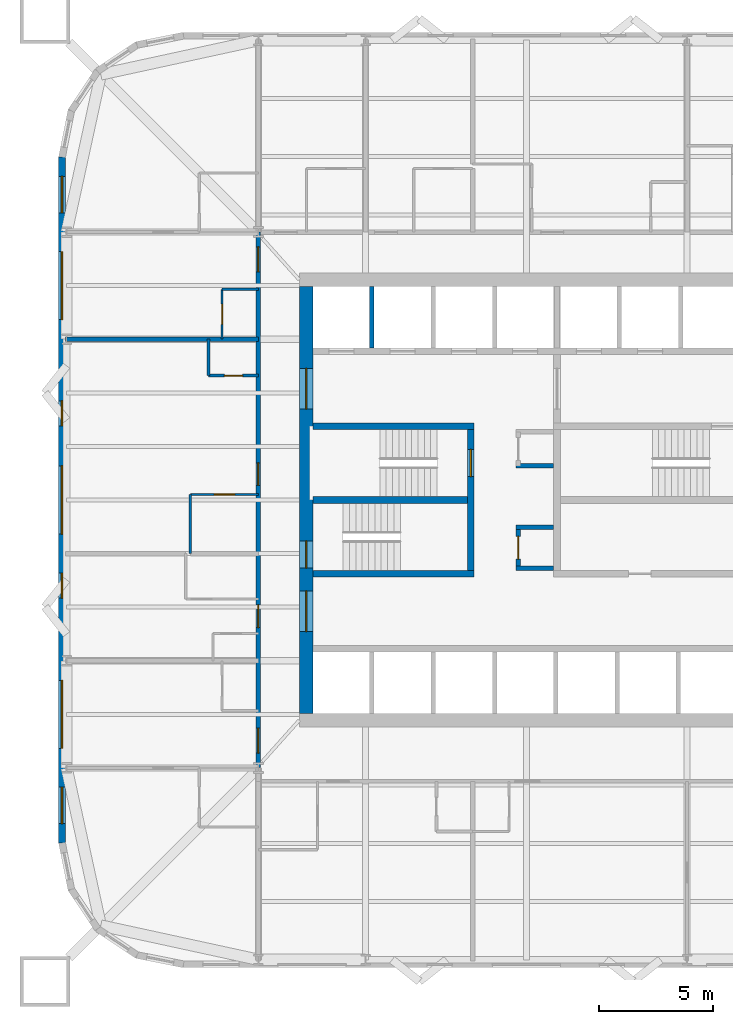
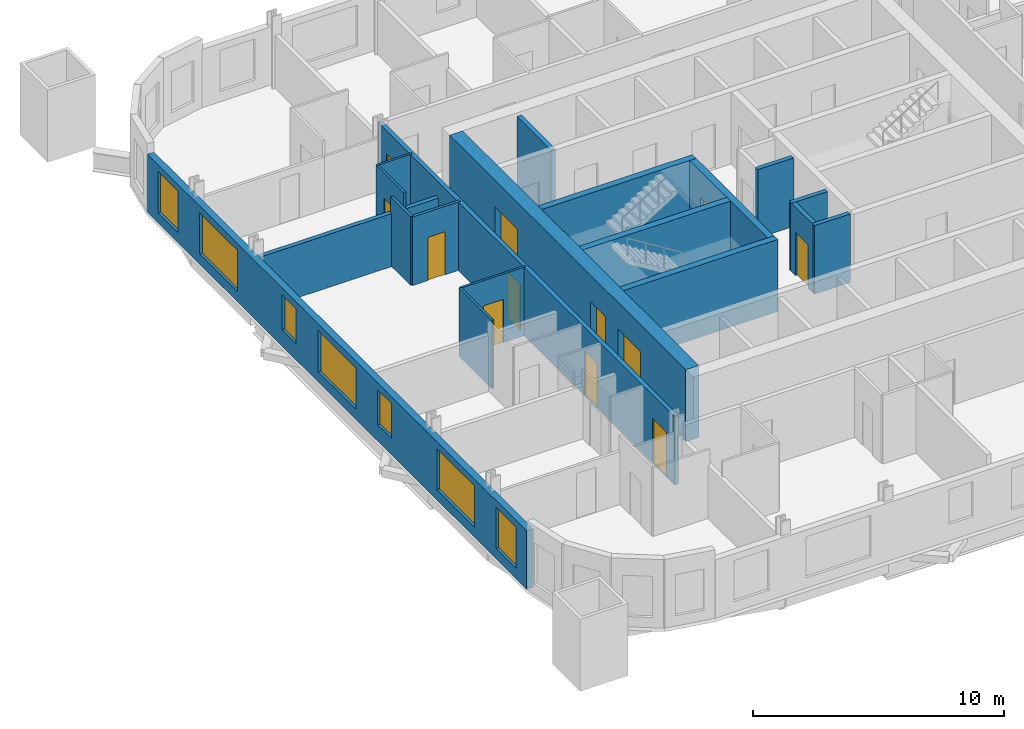
# One storey, part 4 of 9: 19 walls, 12 doors, 7 windows, 19 openings.
"""IFC4 building model written with IfcOpenShell, lengths in metres."""

from ifc_helpers import new_model, si_unit, direction, frame, frame_2d, origin, place, context, subcontext, project, spatial, rectangle, extrude, material, layer, layer_set, type_object, element, fill, save


model = new_model("IFC4")

# Units and contexts
model_context = context("Model", 3, precision=1e-05, world=origin(), true_north=direction((0.0, 1.0)))
body_context = subcontext(model_context, "Body", "Model", "MODEL_VIEW")
ifc_project = project(units=[si_unit("LENGTHUNIT", "METRE"), si_unit("AREAUNIT", "SQUARE_METRE"), si_unit("VOLUMEUNIT", "CUBIC_METRE"), si_unit("PLANEANGLEUNIT", "RADIAN"), si_unit("MASSUNIT", "GRAM", prefix="KILO")], contexts=[model_context])

# Site, building, storey
site_placement = place(None, origin())
site = spatial("IfcSite", under=ifc_project, at=site_placement, CompositionType="ELEMENT")
building_placement = place(site_placement, origin())
building = spatial("IfcBuilding", under=site, at=building_placement, Name="Turquesa Mirador Hotel Tower", CompositionType="ELEMENT")
storey_placement = place(building_placement, frame((0.0, 0.0, 131.89990234375)))
storey = spatial("IfcBuildingStorey", under=building, at=storey_placement, Name="L35", CompositionType="ELEMENT", Elevation=131.89990234375)

# Wall, opening, door
ifc_material_1 = material(Name="Gypsum board on steel studs", Category="steel")
ifc_layer_1 = layer(ifc_material_1, 0.10009765625)
ifc_layer_set_1 = layer_set([ifc_layer_1], Name="BATHROOM WALL 100")
wall_type_1 = type_object("IfcWallType", Name="BATHROOM WALL 100", PredefinedType="PARTITIONING", material=ifc_layer_set_1)
wall_1_placement = place(storey_placement, frame((40.199951171875, 45.239990234375, 0.0), z_axis=(0.0, 0.0, 1.0), x_axis=(1.0, 0.0, 0.0)))
wall_1 = element("IfcWall", 1, at=wall_1_placement, inside=storey, type_object=wall_type_1, Name="Partition L35 022", PredefinedType="PARTITIONING", context=body_context, shape_type="SweptSolid", body=[
    extrude(rectangle(XDim=3.0, YDim=0.10009765625, at=frame_2d((1.5, 0.0))), origin(), (0.0, 0.0, 1.0), 3.330078125),
])
opening_1_placement = place(wall_1_placement, frame((1.050048828125, 0.0, 0.0)))
opening_1 = element("IfcOpeningElement", 2, at=opening_1_placement, cuts=wall_1, Name="Opening D02", PredefinedType="OPENING", context=body_context, shape_type="SweptSolid", body=[
    extrude(rectangle(XDim=0.89990234375, YDim=2.10009765625, at=frame_2d((0.449951171875, 1.050048828125))), frame((0.0, 0.06005859375, 0.0), z_axis=(0.0, -1.0, 0.0), x_axis=(1.0, 0.0, 0.0)), (0.0, 0.0, 1.0), 0.1201171875),
])
ifc_material_2 = material(Name="Timber veneered door", Category="wood")
door_type_1 = type_object("IfcDoorType", Name="DOOR 900X2100 EN-SUITE", OperationType="SINGLE_SWING_RIGHT", PredefinedType="DOOR", material=ifc_material_2)
door_1_placement = place(opening_1_placement, origin())
door_1 = element("IfcDoor", 3, at=door_1_placement, inside=storey, type_object=door_type_1, Name="Door 3510B", OperationType="SINGLE_SWING_RIGHT", OverallHeight=2.10009765625, OverallWidth=0.89990234375, PredefinedType="DOOR", context=body_context, shape_type="SweptSolid", body=[
    extrude(rectangle(XDim=0.89990234375, YDim=2.10009765625, at=frame_2d((0.449951171875, 1.050048828125))), frame((0.0, 0.02490234375, 0.0), z_axis=(0.0, -1.0, 0.0), x_axis=(1.0, 0.0, 0.0)), (0.0, 0.0, 1.0), 0.050048828125),
])
fill(opening_1, door_1)

# Wall
wall_2_placement = place(storey_placement, frame((41.60009765625, 54.280029296875, 0.0), z_axis=(0.0, 0.0, 1.0), x_axis=(1.0, 0.0, 0.0)))
element("IfcWall", 4, at=wall_2_placement, inside=storey, type_object=wall_type_1, Name="Partition L35 041", PredefinedType="PARTITIONING", context=body_context, shape_type="SweptSolid", body=[
    extrude(rectangle(XDim=1.599853515625, YDim=0.10009765625, at=frame_2d((0.7998046875, 0.0))), origin(), (0.0, 0.0, 1.0), 3.330078125),
])

# Wall, opening, door
wall_3_placement = place(storey_placement, frame((41.60009765625, 52.080078125, 0.0), z_axis=(0.0, 0.0, 1.0), x_axis=(0.0, 1.0, 0.0)))
wall_3 = element("IfcWall", 5, at=wall_3_placement, inside=storey, type_object=wall_type_1, Name="Partition L35 048", PredefinedType="PARTITIONING", context=body_context, shape_type="SweptSolid", body=[
    extrude(rectangle(XDim=2.199951171875, YDim=0.10009765625, at=frame_2d((1.10009765625, 0.0))), origin(), (0.0, 0.0, 1.0), 3.330078125),
])
opening_2_placement = place(wall_3_placement, frame((0.64990234375, 0.0, 0.0)))
opening_2 = element("IfcOpeningElement", 6, at=opening_2_placement, cuts=wall_3, Name="Opening D06", PredefinedType="OPENING", context=body_context, shape_type="SweptSolid", body=[
    extrude(rectangle(XDim=0.89990234375, YDim=2.10009765625, at=frame_2d((0.449951171875, 1.050048828125))), frame((0.0, 0.06005859375, 0.0), z_axis=(0.0, -1.0, 0.0), x_axis=(1.0, 0.0, 0.0)), (0.0, 0.0, 1.0), 0.1201171875),
])
ifc_material_3 = material(Name="Laminate door", Category="wood")
door_type_2 = type_object("IfcDoorType", Name="DOOR 900X2100 WC", OperationType="SINGLE_SWING_LEFT", PredefinedType="DOOR", material=ifc_material_3)
door_2_placement = place(opening_2_placement, origin())
door_2 = element("IfcDoor", 7, at=door_2_placement, inside=storey, type_object=door_type_2, Name="Door 3512W", OperationType="SINGLE_SWING_LEFT", OverallHeight=2.10009765625, OverallWidth=0.89990234375, PredefinedType="DOOR", context=body_context, shape_type="SweptSolid", body=[
    extrude(rectangle(XDim=0.89990234375, YDim=2.10009765625, at=frame_2d((0.449951171875, 1.050048828125))), frame((0.0, 0.02490234375, 0.0), z_axis=(0.0, -1.0, 0.0), x_axis=(1.0, 0.0, 0.0)), (0.0, 0.0, 1.0), 0.050048828125),
])
fill(opening_2, door_2)

# Walls
wall_4_placement = place(storey_placement, frame((40.199951171875, 42.639892578125, 0.0), z_axis=(0.0, 0.0, 1.0), x_axis=(0.0, 1.0, 0.0)))
element("IfcWall", 8, at=wall_4_placement, inside=storey, type_object=wall_type_1, Name="Partition L35 053", PredefinedType="PARTITIONING", context=body_context, shape_type="SweptSolid", body=[
    extrude(rectangle(XDim=2.60009765625, YDim=0.10009765625, at=frame_2d((1.300048828125, 0.0))), origin(), (0.0, 0.0, 1.0), 3.330078125),
])
ifc_material_4 = material(Name="Concrete C50/60", Category="concrete")
ifc_layer_2 = layer(ifc_material_4, 0.300048828125)
ifc_layer_set_2 = layer_set([ifc_layer_2], Name="CORE INNER WALL 300")
wall_type_2 = type_object("IfcWallType", Name="CORE INNER WALL 300", PredefinedType="SHEAR", material=ifc_layer_set_2)
for number, where, z_axis, x_axis, name in (
    (9, (45.60009765625, 48.25, 0.0), (0.0, 0.0, 1.0), (1.0, 0.0, 0.0), "Core wall MN-W"),
    (10, (45.60009765625, 41.75, 0.0), (0.0, 0.0, 1.0), (1.0, 0.0, 0.0), "Core wall MS-W"),
):
    element("IfcWall", number, at=place(storey_placement, frame(where, z_axis=z_axis, x_axis=x_axis)), inside=storey, type_object=wall_type_2, Name=name, PredefinedType="SHEAR", context=body_context, shape_type="SweptSolid", body=[
        extrude(rectangle(XDim=7.099853515625, YDim=0.300048828125, at=frame_2d((3.5498046875, 0.0))), origin(), (0.0, 0.0, 1.0), 3.5),
    ])

# Wall, opening, door
wall_5_placement = place(storey_placement, frame((52.550048828125, 41.89990234375, 0.0), z_axis=(0.0, 0.0, 1.0), x_axis=(0.0, 1.0, 0.0)))
wall_5 = element("IfcWall", 11, at=wall_5_placement, inside=storey, type_object=wall_type_2, Name="Core wall PW", PredefinedType="SHEAR", context=body_context, shape_type="SweptSolid", body=[
    extrude(rectangle(XDim=6.2001953125, YDim=0.300048828125, at=frame_2d((3.10009765625, 0.0))), origin(), (0.0, 0.0, 1.0), 3.5),
])
opening_3_placement = place(wall_5_placement, frame((4.125, 0.0, 0.0)))
opening_3 = element("IfcOpeningElement", 12, at=opening_3_placement, cuts=wall_5, Name="Opening D03", PredefinedType="OPENING", context=body_context, shape_type="SweptSolid", body=[
    extrude(rectangle(XDim=1.199951171875, YDim=2.199951171875, at=frame_2d((0.60009765625, 1.10009765625))), frame((0.0, 0.159912109375, 0.0), z_axis=(0.0, -1.0, 0.0), x_axis=(1.0, 0.0, 0.0)), (0.0, 0.0, 1.0), 0.320068359375),
])
ifc_material_5 = material(Name="Steel fire door", Category="steel")
door_type_3 = type_object("IfcDoorType", Name="DOOR 1200X2200 STAIR", OperationType="SINGLE_SWING_LEFT", PredefinedType="DOOR", material=ifc_material_5)
door_3_placement = place(opening_3_placement, origin())
door_3 = element("IfcDoor", 13, at=door_3_placement, inside=storey, type_object=door_type_3, Name="Stair ST1 door", OperationType="SINGLE_SWING_LEFT", OverallHeight=2.199951171875, OverallWidth=1.199951171875, PredefinedType="DOOR", context=body_context, shape_type="SweptSolid", body=[
    extrude(rectangle(XDim=1.199951171875, YDim=2.199951171875, at=frame_2d((0.60009765625, 1.10009765625))), frame((0.0, 0.02490234375, 0.0), z_axis=(0.0, -1.0, 0.0), x_axis=(1.0, 0.0, 0.0)), (0.0, 0.0, 1.0), 0.050048828125),
])
fill(opening_3, door_3)

# Wall
wall_6_placement = place(storey_placement, frame((45.60009765625, 45.0, 0.0), z_axis=(0.0, 0.0, 1.0), x_axis=(1.0, 0.0, 0.0)))
element("IfcWall", 14, at=wall_6_placement, inside=storey, type_object=wall_type_2, Name="Core wall M0-W", PredefinedType="SHEAR", context=body_context, shape_type="SweptSolid", body=[
    extrude(rectangle(XDim=6.7998046875, YDim=0.300048828125, at=frame_2d((3.39990234375, 0.0))), origin(), (0.0, 0.0, 1.0), 3.5),
])

# Wall, openings, doors
ifc_material_6 = material(Name="Concrete C50/60", Category="concrete")
ifc_layer_3 = layer(ifc_material_6, 0.60009765625)
ifc_layer_set_3 = layer_set([ifc_layer_3], Name="CORE WALL 600")
wall_type_3 = type_object("IfcWallType", Name="CORE WALL 600", PredefinedType="SHEAR", material=ifc_layer_set_3)
wall_7_placement = place(storey_placement, frame((45.300048828125, 35.60009765625, 0.0), z_axis=(0.0, 0.0, 1.0), x_axis=(0.0, 1.0, 0.0)))
wall_7 = element("IfcWall", 15, at=wall_7_placement, inside=storey, type_object=wall_type_3, Name="Core wall W", PredefinedType="SHEAR", context=body_context, shape_type="SweptSolid", body=[
    extrude(rectangle(XDim=18.7998046875, YDim=0.60009765625, at=frame_2d((9.39990234375, 0.0))), origin(), (0.0, 0.0, 1.0), 3.5),
])
opening_4_placement = place(wall_7_placement, frame((13.39990234375, 0.0, 0.0)))
opening_4 = element("IfcOpeningElement", 16, at=opening_4_placement, cuts=wall_7, Name="Opening D04", PredefinedType="OPENING", context=body_context, shape_type="SweptSolid", body=[
    extrude(rectangle(XDim=1.800048828125, YDim=2.199951171875, at=frame_2d((0.89990234375, 1.10009765625))), frame((0.0, 0.31005859375, 0.0), z_axis=(0.0, -1.0, 0.0), x_axis=(1.0, 0.0, 0.0)), (0.0, 0.0, 1.0), 0.6201171875),
])
opening_5_placement = place(wall_7_placement, frame((3.60009765625, 0.0, 0.0)))
opening_5 = element("IfcOpeningElement", 17, at=opening_5_placement, cuts=wall_7, Name="Opening D04", PredefinedType="OPENING", context=body_context, shape_type="SweptSolid", body=[
    extrude(rectangle(XDim=1.800048828125, YDim=2.199951171875, at=frame_2d((0.89990234375, 1.10009765625))), frame((0.0, 0.31005859375, 0.0), z_axis=(0.0, -1.0, 0.0), x_axis=(1.0, 0.0, 0.0)), (0.0, 0.0, 1.0), 0.6201171875),
])
opening_6_placement = place(wall_7_placement, frame((6.39990234375, 0.0, 0.0)))
opening_6 = element("IfcOpeningElement", 18, at=opening_6_placement, cuts=wall_7, Name="Opening D03", PredefinedType="OPENING", context=body_context, shape_type="SweptSolid", body=[
    extrude(rectangle(XDim=1.199951171875, YDim=2.199951171875, at=frame_2d((0.60009765625, 1.10009765625))), frame((0.0, 0.31005859375, 0.0), z_axis=(0.0, -1.0, 0.0), x_axis=(1.0, 0.0, 0.0)), (0.0, 0.0, 1.0), 0.6201171875),
])
door_4_placement = place(opening_6_placement, origin())
door_4 = element("IfcDoor", 19, at=door_4_placement, inside=storey, type_object=door_type_3, Name="Stair ST2 door", OperationType="SINGLE_SWING_LEFT", OverallHeight=2.199951171875, OverallWidth=1.199951171875, PredefinedType="DOOR", context=body_context, shape_type="SweptSolid", body=[
    extrude(rectangle(XDim=1.199951171875, YDim=2.199951171875, at=frame_2d((0.60009765625, 1.10009765625))), frame((0.0, 0.02490234375, 0.0), z_axis=(0.0, -1.0, 0.0), x_axis=(1.0, 0.0, 0.0)), (0.0, 0.0, 1.0), 0.050048828125),
])
fill(opening_6, door_4)
ifc_material_7 = material(Name="Steel fire door pair", Category="steel")
door_type_4 = type_object("IfcDoorType", Name="DOOR 1800X2200 PAIR", OperationType="DOUBLE_DOOR_SINGLE_SWING", PredefinedType="DOOR", material=ifc_material_7)
door_5_placement = place(opening_4_placement, origin())
door_5 = element("IfcDoor", 20, at=door_5_placement, inside=storey, type_object=door_type_4, Name="North lift lobby door", OperationType="DOUBLE_DOOR_SINGLE_SWING", OverallHeight=2.199951171875, OverallWidth=1.800048828125, PredefinedType="DOOR", context=body_context, shape_type="SweptSolid", body=[
    extrude(rectangle(XDim=1.800048828125, YDim=2.199951171875, at=frame_2d((0.89990234375, 1.10009765625))), frame((0.0, 0.02490234375, 0.0), z_axis=(0.0, -1.0, 0.0), x_axis=(1.0, 0.0, 0.0)), (0.0, 0.0, 1.0), 0.050048828125),
])
fill(opening_4, door_5)
door_6_placement = place(opening_5_placement, origin())
door_6 = element("IfcDoor", 21, at=door_6_placement, inside=storey, type_object=door_type_4, Name="South lift lobby door", OperationType="DOUBLE_DOOR_SINGLE_SWING", OverallHeight=2.199951171875, OverallWidth=1.800048828125, PredefinedType="DOOR", context=body_context, shape_type="SweptSolid", body=[
    extrude(rectangle(XDim=1.800048828125, YDim=2.199951171875, at=frame_2d((0.89990234375, 1.10009765625))), frame((0.0, 0.02490234375, 0.0), z_axis=(0.0, -1.0, 0.0), x_axis=(1.0, 0.0, 0.0)), (0.0, 0.0, 1.0), 0.050048828125),
])
fill(opening_5, door_6)

ifc_material_8 = material(Name="Fire-rated gypsum board on steel studs", Category="steel")
ifc_layer_4 = layer(ifc_material_8, 0.199951171875)
ifc_layer_set_4 = layer_set([ifc_layer_4], Name="CORRIDOR WALL 200")
wall_type_4 = type_object("IfcWallType", Name="CORRIDOR WALL 200", PredefinedType="PARTITIONING", material=ifc_layer_set_4)
wall_8_placement = place(storey_placement, frame((43.199951171875, 33.219970703125, 0.0), z_axis=(0.0, 0.0, 1.0), x_axis=(0.0, 1.0, 0.0)))
wall_8 = element("IfcWall", 22, at=wall_8_placement, inside=storey, type_object=wall_type_4, Name="Partition L35 044", PredefinedType="PARTITIONING", context=body_context, shape_type="SweptSolid", body=[
    extrude(rectangle(XDim=23.580078125, YDim=0.199951171875, at=frame_2d((11.7900390625, 0.0))), origin(), (0.0, 0.0, 1.0), 3.330078125),
])
opening_7_placement = place(wall_8_placement, frame((6.159912109375, 0.0, 0.0)))
opening_7 = element("IfcOpeningElement", 23, at=opening_7_placement, cuts=wall_8, Name="Opening D01", PredefinedType="OPENING", context=body_context, shape_type="SweptSolid", body=[
    extrude(rectangle(XDim=1.0, YDim=2.199951171875, at=frame_2d((0.5, 1.10009765625))), frame((0.0, 0.10986328125, 0.0), z_axis=(0.0, -1.0, 0.0), x_axis=(1.0, 0.0, 0.0)), (0.0, 0.0, 1.0), 0.219970703125),
])
opening_8_placement = place(wall_8_placement, frame((12.419921875, 0.0, 0.0)))
opening_8 = element("IfcOpeningElement", 24, at=opening_8_placement, cuts=wall_8, Name="Opening D01", PredefinedType="OPENING", context=body_context, shape_type="SweptSolid", body=[
    extrude(rectangle(XDim=1.0, YDim=2.199951171875, at=frame_2d((0.5, 1.10009765625))), frame((0.0, 0.10986328125, 0.0), z_axis=(0.0, -1.0, 0.0), x_axis=(1.0, 0.0, 0.0)), (0.0, 0.0, 1.0), 0.219970703125),
])
opening_9_placement = place(wall_8_placement, frame((21.830078125, 0.0, 0.0)))
opening_9 = element("IfcOpeningElement", 25, at=opening_9_placement, cuts=wall_8, Name="Opening D15", PredefinedType="OPENING", context=body_context, shape_type="SweptSolid", body=[
    extrude(rectangle(XDim=1.10009765625, YDim=2.199951171875, at=frame_2d((0.550048828125, 1.10009765625))), frame((0.0, 0.10986328125, 0.0), z_axis=(0.0, -1.0, 0.0), x_axis=(1.0, 0.0, 0.0)), (0.0, 0.0, 1.0), 0.219970703125),
])
opening_10_placement = place(wall_8_placement, frame((0.6298828125, 0.0, 0.0)))
opening_10 = element("IfcOpeningElement", 26, at=opening_10_placement, cuts=wall_8, Name="Opening D15", PredefinedType="OPENING", context=body_context, shape_type="SweptSolid", body=[
    extrude(rectangle(XDim=1.10009765625, YDim=2.199951171875, at=frame_2d((0.550048828125, 1.10009765625))), frame((0.0, 0.10986328125, 0.0), z_axis=(0.0, -1.0, 0.0), x_axis=(1.0, 0.0, 0.0)), (0.0, 0.0, 1.0), 0.219970703125),
])
ifc_material_9 = material(Name="Timber veneered fire door", Category="wood")
door_type_5 = type_object("IfcDoorType", Name="DOOR 1000X2200 GUEST ENTRY", OperationType="SINGLE_SWING_LEFT", PredefinedType="DOOR", material=ifc_material_9)
door_7_placement = place(opening_7_placement, origin())
door_7 = element("IfcDoor", 27, at=door_7_placement, inside=storey, type_object=door_type_5, Name="Door 3509", OperationType="SINGLE_SWING_LEFT", OverallHeight=2.199951171875, OverallWidth=1.0, PredefinedType="DOOR", context=body_context, shape_type="SweptSolid", body=[
    extrude(rectangle(XDim=1.0, YDim=2.199951171875, at=frame_2d((0.5, 1.10009765625))), frame((0.0, 0.02490234375, 0.0), z_axis=(0.0, -1.0, 0.0), x_axis=(1.0, 0.0, 0.0)), (0.0, 0.0, 1.0), 0.050048828125),
])
fill(opening_7, door_7)
door_8_placement = place(opening_8_placement, origin())
door_8 = element("IfcDoor", 28, at=door_8_placement, inside=storey, type_object=door_type_5, Name="Door 3510", OperationType="SINGLE_SWING_LEFT", OverallHeight=2.199951171875, OverallWidth=1.0, PredefinedType="DOOR", context=body_context, shape_type="SweptSolid", body=[
    extrude(rectangle(XDim=1.0, YDim=2.199951171875, at=frame_2d((0.5, 1.10009765625))), frame((0.0, 0.02490234375, 0.0), z_axis=(0.0, -1.0, 0.0), x_axis=(1.0, 0.0, 0.0)), (0.0, 0.0, 1.0), 0.050048828125),
])
fill(opening_8, door_8)
ifc_material_10 = material(Name="Timber veneered fire door", Category="wood")
door_type_6 = type_object("IfcDoorType", Name="DOOR 1100X2200 SUITE ENTRY", OperationType="SINGLE_SWING_LEFT", PredefinedType="DOOR", material=ifc_material_10)
door_9_placement = place(opening_9_placement, origin())
door_9 = element("IfcDoor", 29, at=door_9_placement, inside=storey, type_object=door_type_6, Name="Door 3512", OperationType="SINGLE_SWING_LEFT", OverallHeight=2.199951171875, OverallWidth=1.10009765625, PredefinedType="DOOR", context=body_context, shape_type="SweptSolid", body=[
    extrude(rectangle(XDim=1.10009765625, YDim=2.199951171875, at=frame_2d((0.550048828125, 1.10009765625))), frame((0.0, 0.02490234375, 0.0), z_axis=(0.0, -1.0, 0.0), x_axis=(1.0, 0.0, 0.0)), (0.0, 0.0, 1.0), 0.050048828125),
])
fill(opening_9, door_9)
door_10_placement = place(opening_10_placement, origin())
door_10 = element("IfcDoor", 30, at=door_10_placement, inside=storey, type_object=door_type_6, Name="Door 3513", OperationType="SINGLE_SWING_LEFT", OverallHeight=2.199951171875, OverallWidth=1.10009765625, PredefinedType="DOOR", context=body_context, shape_type="SweptSolid", body=[
    extrude(rectangle(XDim=1.10009765625, YDim=2.199951171875, at=frame_2d((0.550048828125, 1.10009765625))), frame((0.0, 0.02490234375, 0.0), z_axis=(0.0, -1.0, 0.0), x_axis=(1.0, 0.0, 0.0)), (0.0, 0.0, 1.0), 0.050048828125),
])
fill(opening_10, door_10)

# Wall, openings, windows
ifc_material_11 = material(Name="Limestone cladding on concrete block", Category="masonry")
ifc_layer_5 = layer(ifc_material_11, 0.300048828125)
ifc_layer_set_5 = layer_set([ifc_layer_5], Name="FACADE WALL 300 STONE SCREEN")
wall_type_5 = type_object("IfcWallType", Name="FACADE WALL 300 STONE SCREEN", PredefinedType="SOLIDWALL", material=ifc_layer_set_5)
wall_9_placement = place(storey_placement, frame((34.550048828125, 60.10009765625, 0.0), z_axis=(0.0, 0.0, 1.0), x_axis=(0.0, -1.0, 0.0)))
wall_9 = element("IfcWall", 31, at=wall_9_placement, inside=storey, type_object=wall_type_5, Name="Facade wall L35 14", PredefinedType="SOLIDWALL", context=body_context, shape_type="SweptSolid", body=[
    extrude(rectangle(XDim=30.2001953125, YDim=0.300048828125, at=frame_2d((15.10009765625, 0.0))), origin(), (0.0, 0.0, 1.0), 2.830078125),
])
opening_11_placement = place(wall_9_placement, frame((0.85009765625, 0.0, 0.5)))
opening_11 = element("IfcOpeningElement", 32, at=opening_11_placement, cuts=wall_9, Name="Opening WN3", PredefinedType="OPENING", context=body_context, shape_type="SweptSolid", body=[
    extrude(rectangle(XDim=1.60009765625, YDim=2.0, at=frame_2d((0.800048828125, 1.0))), frame((0.0, 0.159912109375, 0.0), z_axis=(0.0, -1.0, 0.0), x_axis=(1.0, 0.0, 0.0)), (0.0, 0.0, 1.0), 0.320068359375),
])
opening_12_placement = place(wall_9_placement, frame((4.159912109375, 0.0, 0.5)))
opening_12 = element("IfcOpeningElement", 33, at=opening_12_placement, cuts=wall_9, Name="Opening WN1", PredefinedType="OPENING", context=body_context, shape_type="SweptSolid", body=[
    extrude(rectangle(XDim=3.0, YDim=2.0, at=frame_2d((1.5, 1.0))), frame((0.0, 0.159912109375, 0.0), z_axis=(0.0, -1.0, 0.0), x_axis=(1.0, 0.0, 0.0)), (0.0, 0.0, 1.0), 0.320068359375),
])
opening_13_placement = place(wall_9_placement, frame((10.72998046875, 0.0, 0.800048828125)))
opening_13 = element("IfcOpeningElement", 34, at=opening_13_placement, cuts=wall_9, Name="Opening WN26", PredefinedType="OPENING", context=body_context, shape_type="SweptSolid", body=[
    extrude(rectangle(XDim=1.10009765625, YDim=1.699951171875, at=frame_2d((0.550048828125, 0.85009765625))), frame((0.0, 0.159912109375, 0.0), z_axis=(0.0, -1.0, 0.0), x_axis=(1.0, 0.0, 0.0)), (0.0, 0.0, 1.0), 0.320068359375),
])
opening_14_placement = place(wall_9_placement, frame((13.60009765625, 0.0, 0.5)))
opening_14 = element("IfcOpeningElement", 35, at=opening_14_placement, cuts=wall_9, Name="Opening WN1", PredefinedType="OPENING", context=body_context, shape_type="SweptSolid", body=[
    extrude(rectangle(XDim=3.0, YDim=2.0, at=frame_2d((1.5, 1.0))), frame((0.0, 0.159912109375, 0.0), z_axis=(0.0, -1.0, 0.0), x_axis=(1.0, 0.0, 0.0)), (0.0, 0.0, 1.0), 0.320068359375),
])
opening_15_placement = place(wall_9_placement, frame((18.320068359375, 0.0, 0.800048828125)))
opening_15 = element("IfcOpeningElement", 36, at=opening_15_placement, cuts=wall_9, Name="Opening WN26", PredefinedType="OPENING", context=body_context, shape_type="SweptSolid", body=[
    extrude(rectangle(XDim=1.10009765625, YDim=1.699951171875, at=frame_2d((0.550048828125, 0.85009765625))), frame((0.0, 0.159912109375, 0.0), z_axis=(0.0, -1.0, 0.0), x_axis=(1.0, 0.0, 0.0)), (0.0, 0.0, 1.0), 0.320068359375),
])
opening_16_placement = place(wall_9_placement, frame((23.0400390625, 0.0, 0.5)))
opening_16 = element("IfcOpeningElement", 37, at=opening_16_placement, cuts=wall_9, Name="Opening WN1", PredefinedType="OPENING", context=body_context, shape_type="SweptSolid", body=[
    extrude(rectangle(XDim=3.0, YDim=2.0, at=frame_2d((1.5, 1.0))), frame((0.0, 0.159912109375, 0.0), z_axis=(0.0, -1.0, 0.0), x_axis=(1.0, 0.0, 0.0)), (0.0, 0.0, 1.0), 0.320068359375),
])
opening_17_placement = place(wall_9_placement, frame((27.75, 0.0, 0.5)))
opening_17 = element("IfcOpeningElement", 38, at=opening_17_placement, cuts=wall_9, Name="Opening WN3", PredefinedType="OPENING", context=body_context, shape_type="SweptSolid", body=[
    extrude(rectangle(XDim=1.60009765625, YDim=2.0, at=frame_2d((0.800048828125, 1.0))), frame((0.0, 0.159912109375, 0.0), z_axis=(0.0, -1.0, 0.0), x_axis=(1.0, 0.0, 0.0)), (0.0, 0.0, 1.0), 0.320068359375),
])
ifc_material_12 = material(Name="Ceramic-fritted laminated glass", Category="glass")
window_type_1 = type_object("IfcWindowType", Name="FRITTED WINDOW 1100X1700", PartitioningType="DOUBLE_PANEL_HORIZONTAL", PredefinedType="WINDOW", material=ifc_material_12)
window_1_placement = place(opening_13_placement, origin())
window_1 = element("IfcWindow", 39, at=window_1_placement, inside=storey, type_object=window_type_1, Name="Window L35", OverallHeight=1.699951171875, OverallWidth=1.10009765625, PartitioningType="SINGLE_PANEL", PredefinedType="WINDOW", context=body_context, shape_type="SweptSolid", body=[
    extrude(rectangle(XDim=1.10009765625, YDim=1.699951171875, at=frame_2d((0.550048828125, 0.85009765625))), frame((0.0, 0.030029296875, 0.0), z_axis=(0.0, -1.0, 0.0), x_axis=(1.0, 0.0, 0.0)), (0.0, 0.0, 1.0), 0.06005859375),
])
fill(opening_13, window_1)
window_2_placement = place(opening_15_placement, origin())
window_2 = element("IfcWindow", 40, at=window_2_placement, inside=storey, type_object=window_type_1, Name="Window L35", OverallHeight=1.699951171875, OverallWidth=1.10009765625, PartitioningType="SINGLE_PANEL", PredefinedType="WINDOW", context=body_context, shape_type="SweptSolid", body=[
    extrude(rectangle(XDim=1.10009765625, YDim=1.699951171875, at=frame_2d((0.550048828125, 0.85009765625))), frame((0.0, 0.030029296875, 0.0), z_axis=(0.0, -1.0, 0.0), x_axis=(1.0, 0.0, 0.0)), (0.0, 0.0, 1.0), 0.06005859375),
])
fill(opening_15, window_2)
ifc_material_13 = material(Name="Ceramic-fritted laminated glass", Category="glass")
window_type_2 = type_object("IfcWindowType", Name="FRITTED WINDOW 1600X2000", PartitioningType="DOUBLE_PANEL_HORIZONTAL", PredefinedType="WINDOW", material=ifc_material_13)
window_3_placement = place(opening_11_placement, origin())
window_3 = element("IfcWindow", 41, at=window_3_placement, inside=storey, type_object=window_type_2, Name="Window L35", OverallHeight=2.0, OverallWidth=1.60009765625, PartitioningType="SINGLE_PANEL", PredefinedType="WINDOW", context=body_context, shape_type="SweptSolid", body=[
    extrude(rectangle(XDim=1.60009765625, YDim=2.0, at=frame_2d((0.800048828125, 1.0))), frame((0.0, 0.030029296875, 0.0), z_axis=(0.0, -1.0, 0.0), x_axis=(1.0, 0.0, 0.0)), (0.0, 0.0, 1.0), 0.06005859375),
])
fill(opening_11, window_3)
window_4_placement = place(opening_17_placement, origin())
window_4 = element("IfcWindow", 42, at=window_4_placement, inside=storey, type_object=window_type_2, Name="Window L35", OverallHeight=2.0, OverallWidth=1.60009765625, PartitioningType="SINGLE_PANEL", PredefinedType="WINDOW", context=body_context, shape_type="SweptSolid", body=[
    extrude(rectangle(XDim=1.60009765625, YDim=2.0, at=frame_2d((0.800048828125, 1.0))), frame((0.0, 0.030029296875, 0.0), z_axis=(0.0, -1.0, 0.0), x_axis=(1.0, 0.0, 0.0)), (0.0, 0.0, 1.0), 0.06005859375),
])
fill(opening_17, window_4)
ifc_material_14 = material(Name="Ceramic-fritted laminated glass", Category="glass")
window_type_3 = type_object("IfcWindowType", Name="FRITTED WINDOW 3000X2000", PartitioningType="DOUBLE_PANEL_HORIZONTAL", PredefinedType="WINDOW", material=ifc_material_14)
window_5_placement = place(opening_12_placement, origin())
window_5 = element("IfcWindow", 43, at=window_5_placement, inside=storey, type_object=window_type_3, Name="Window L35", OverallHeight=2.0, OverallWidth=3.0, PartitioningType="SINGLE_PANEL", PredefinedType="WINDOW", context=body_context, shape_type="SweptSolid", body=[
    extrude(rectangle(XDim=3.0, YDim=2.0, at=frame_2d((1.5, 1.0))), frame((0.0, 0.030029296875, 0.0), z_axis=(0.0, -1.0, 0.0), x_axis=(1.0, 0.0, 0.0)), (0.0, 0.0, 1.0), 0.06005859375),
])
fill(opening_12, window_5)
window_6_placement = place(opening_14_placement, origin())
window_6 = element("IfcWindow", 44, at=window_6_placement, inside=storey, type_object=window_type_3, Name="Window L35", OverallHeight=2.0, OverallWidth=3.0, PartitioningType="SINGLE_PANEL", PredefinedType="WINDOW", context=body_context, shape_type="SweptSolid", body=[
    extrude(rectangle(XDim=3.0, YDim=2.0, at=frame_2d((1.5, 1.0))), frame((0.0, 0.030029296875, 0.0), z_axis=(0.0, -1.0, 0.0), x_axis=(1.0, 0.0, 0.0)), (0.0, 0.0, 1.0), 0.06005859375),
])
fill(opening_14, window_6)
window_7_placement = place(opening_16_placement, origin())
window_7 = element("IfcWindow", 45, at=window_7_placement, inside=storey, type_object=window_type_3, Name="Window L35", OverallHeight=2.0, OverallWidth=3.0, PartitioningType="SINGLE_PANEL", PredefinedType="WINDOW", context=body_context, shape_type="SweptSolid", body=[
    extrude(rectangle(XDim=3.0, YDim=2.0, at=frame_2d((1.5, 1.0))), frame((0.0, 0.030029296875, 0.0), z_axis=(0.0, -1.0, 0.0), x_axis=(1.0, 0.0, 0.0)), (0.0, 0.0, 1.0), 0.06005859375),
])
fill(opening_16, window_7)

# Wall, opening, door
ifc_material_15 = material(Name="Fire-rated gypsum board on steel studs", Category="steel")
ifc_layer_6 = layer(ifc_material_15, 0.199951171875)
ifc_layer_set_6 = layer_set([ifc_layer_6], Name="FIRE PARTITION 200")
wall_type_6 = type_object("IfcWallType", Name="FIRE PARTITION 200", PredefinedType="PARTITIONING", material=ifc_layer_set_6)
wall_10_placement = place(storey_placement, frame((54.64990234375, 42.0, 0.0), z_axis=(0.0, 0.0, 1.0), x_axis=(0.0, 1.0, 0.0)))
wall_10 = element("IfcWall", 46, at=wall_10_placement, inside=storey, type_object=wall_type_6, Name="Partition L35 CM W", PredefinedType="PARTITIONING", context=body_context, shape_type="SweptSolid", body=[
    extrude(rectangle(XDim=1.800048828125, YDim=0.199951171875, at=frame_2d((0.89990234375, 0.0))), origin(), (0.0, 0.0, 1.0), 3.330078125),
])
opening_18_placement = place(wall_10_placement, frame((0.39990234375, 0.0, 0.0)))
opening_18 = element("IfcOpeningElement", 47, at=opening_18_placement, cuts=wall_10, Name="Opening D05", PredefinedType="OPENING", context=body_context, shape_type="SweptSolid", body=[
    extrude(rectangle(XDim=1.0, YDim=2.10009765625, at=frame_2d((0.5, 1.050048828125))), frame((0.0, 0.10986328125, 0.0), z_axis=(0.0, -1.0, 0.0), x_axis=(1.0, 0.0, 0.0)), (0.0, 0.0, 1.0), 0.219970703125),
])
ifc_material_16 = material(Name="Steel fire door", Category="steel")
door_type_7 = type_object("IfcDoorType", Name="DOOR 1000X2100 SERVICE", OperationType="SINGLE_SWING_LEFT", PredefinedType="DOOR", material=ifc_material_16)
door_11_placement = place(opening_18_placement, origin())
door_11 = element("IfcDoor", 48, at=door_11_placement, inside=storey, type_object=door_type_7, Name="Comms room door", OperationType="SINGLE_SWING_LEFT", OverallHeight=2.10009765625, OverallWidth=1.0, PredefinedType="DOOR", context=body_context, shape_type="SweptSolid", body=[
    extrude(rectangle(XDim=1.0, YDim=2.10009765625, at=frame_2d((0.5, 1.050048828125))), frame((0.0, 0.02490234375, 0.0), z_axis=(0.0, -1.0, 0.0), x_axis=(1.0, 0.0, 0.0)), (0.0, 0.0, 1.0), 0.050048828125),
])
fill(opening_18, door_11)

# Walls
for number, where, z_axis, x_axis, name in (
    (49, (54.550048828125, 42.0, 0.0), (0.0, 0.0, 1.0), (1.0, 0.0, 0.0), "Partition L35 CM S"),
    (50, (54.550048828125, 43.800048828125, 0.0), (0.0, 0.0, 1.0), (1.0, 0.0, 0.0), "Partition L35 CM N"),
    (51, (54.550048828125, 46.5, 0.0), (0.0, 0.0, 1.0), (1.0, 0.0, 0.0), "Partition L35 CL S"),
):
    element("IfcWall", number, at=place(storey_placement, frame(where, z_axis=z_axis, x_axis=x_axis)), inside=storey, type_object=wall_type_6, Name=name, PredefinedType="PARTITIONING", context=body_context, shape_type="SweptSolid", body=[
        extrude(rectangle(XDim=1.64990234375, YDim=0.199951171875, at=frame_2d((0.824951171875, 0.0))), origin(), (0.0, 0.0, 1.0), 3.330078125),
    ])
ifc_material_17 = material(Name="Fire-rated gypsum shaft wall on steel studs", Category="steel")
ifc_layer_7 = layer(ifc_material_17, 0.199951171875)
ifc_layer_set_7 = layer_set([ifc_layer_7], Name="LIFT SHAFT DIVIDER 200")
wall_type_7 = type_object("IfcWallType", Name="LIFT SHAFT DIVIDER 200", PredefinedType="PARTITIONING", material=ifc_layer_set_7)
wall_11_placement = place(storey_placement, frame((48.199951171875, 51.699951171875, 0.0), z_axis=(0.0, 0.0, 1.0), x_axis=(0.0, 1.0, 0.0)))
element("IfcWall", 52, at=wall_11_placement, inside=storey, type_object=wall_type_7, Name="Lift shaft divider", PredefinedType="PARTITIONING", context=body_context, shape_type="SweptSolid", body=[
    extrude(rectangle(XDim=2.699951171875, YDim=0.199951171875, at=frame_2d((1.35009765625, 0.0))), origin(), (0.0, 0.0, 1.0), 3.330078125),
])
ifc_material_18 = material(Name="Fire-rated gypsum board on steel studs", Category="steel")
ifc_layer_8 = layer(ifc_material_18, 0.199951171875)
ifc_layer_set_8 = layer_set([ifc_layer_8], Name="PARTY WALL 200")
wall_type_8 = type_object("IfcWallType", Name="PARTY WALL 200", PredefinedType="PARTITIONING", material=ifc_layer_set_8)
wall_12_placement = place(storey_placement, frame((34.699951171875, 52.080078125, 0.0), z_axis=(0.0, 0.0, 1.0), x_axis=(1.0, 0.0, 0.0)))
element("IfcWall", 53, at=wall_12_placement, inside=storey, type_object=wall_type_8, Name="Partition L35 039", PredefinedType="PARTITIONING", context=body_context, shape_type="SweptSolid", body=[
    extrude(rectangle(XDim=8.5, YDim=0.199951171875, at=frame_2d((4.25, 0.0))), origin(), (0.0, 0.0, 1.0), 2.5732421875),
])

# Wall, opening, door
ifc_material_19 = material(Name="Acoustic gypsum board on steel studs", Category="steel")
ifc_layer_9 = layer(ifc_material_19, 0.125)
ifc_layer_set_9 = layer_set([ifc_layer_9], Name="SUITE PARTITION 125")
wall_type_9 = type_object("IfcWallType", Name="SUITE PARTITION 125", PredefinedType="PARTITIONING", material=ifc_layer_set_9)
wall_13_placement = place(storey_placement, frame((41.0, 50.47998046875, 0.0), z_axis=(0.0, 0.0, 1.0), x_axis=(1.0, 0.0, 0.0)))
wall_13 = element("IfcWall", 54, at=wall_13_placement, inside=storey, type_object=wall_type_9, Name="Partition L35 037", PredefinedType="PARTITIONING", context=body_context, shape_type="SweptSolid", body=[
    extrude(rectangle(XDim=2.199951171875, YDim=0.125, at=frame_2d((1.10009765625, 0.0))), origin(), (0.0, 0.0, 1.0), 3.330078125),
])
opening_19_placement = place(wall_13_placement, frame((0.699951171875, 0.0, 0.0)))
opening_19 = element("IfcOpeningElement", 55, at=opening_19_placement, cuts=wall_13, Name="Opening D20", PredefinedType="OPENING", context=body_context, shape_type="SweptSolid", body=[
    extrude(rectangle(XDim=0.800048828125, YDim=2.10009765625, at=frame_2d((0.39990234375, 1.050048828125))), frame((0.0, 0.072509765625, 0.0), z_axis=(0.0, -1.0, 0.0), x_axis=(1.0, 0.0, 0.0)), (0.0, 0.0, 1.0), 0.14501953125),
])
ifc_material_20 = material(Name="Timber veneered sliding door", Category="wood")
door_type_8 = type_object("IfcDoorType", Name="DOOR 800X2100 WARDROBE", OperationType="SLIDING_TO_LEFT", PredefinedType="DOOR", material=ifc_material_20)
door_12_placement = place(opening_19_placement, origin())
door_12 = element("IfcDoor", 56, at=door_12_placement, inside=storey, type_object=door_type_8, Name="Door 3510W", OperationType="SLIDING_TO_LEFT", OverallHeight=2.10009765625, OverallWidth=0.800048828125, PredefinedType="DOOR", context=body_context, shape_type="SweptSolid", body=[
    extrude(rectangle(XDim=0.800048828125, YDim=2.10009765625, at=frame_2d((0.39990234375, 1.050048828125))), frame((0.0, 0.02490234375, 0.0), z_axis=(0.0, -1.0, 0.0), x_axis=(1.0, 0.0, 0.0)), (0.0, 0.0, 1.0), 0.050048828125),
])
fill(opening_19, door_12)

# Wall
wall_14_placement = place(storey_placement, frame((41.0, 50.47998046875, 0.0), z_axis=(0.0, 0.0, 1.0), x_axis=(0.0, 1.0, 0.0)))
element("IfcWall", 57, at=wall_14_placement, inside=storey, type_object=wall_type_9, Name="Partition L35 050", PredefinedType="PARTITIONING", context=body_context, shape_type="SweptSolid", body=[
    extrude(rectangle(XDim=1.60009765625, YDim=0.125, at=frame_2d((0.800048828125, 0.0))), origin(), (0.0, 0.0, 1.0), 3.330078125),
])

save(model, "model.ifc")
